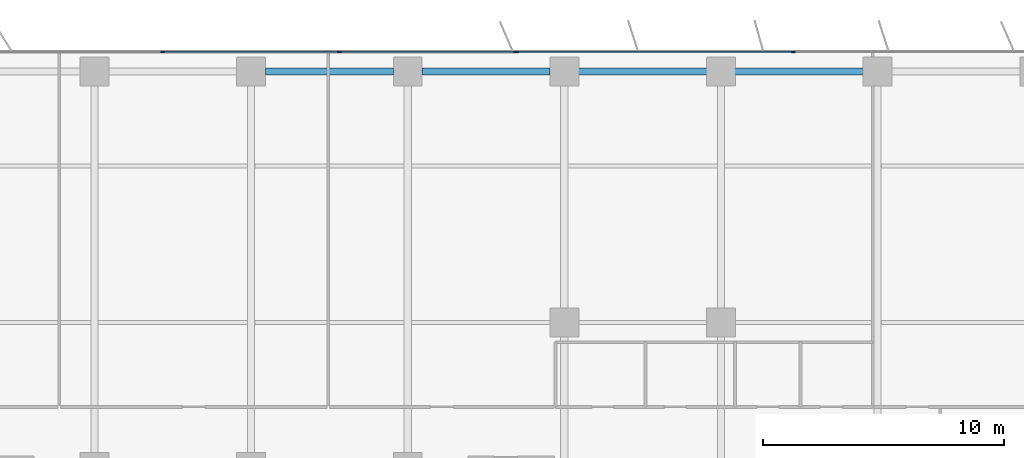
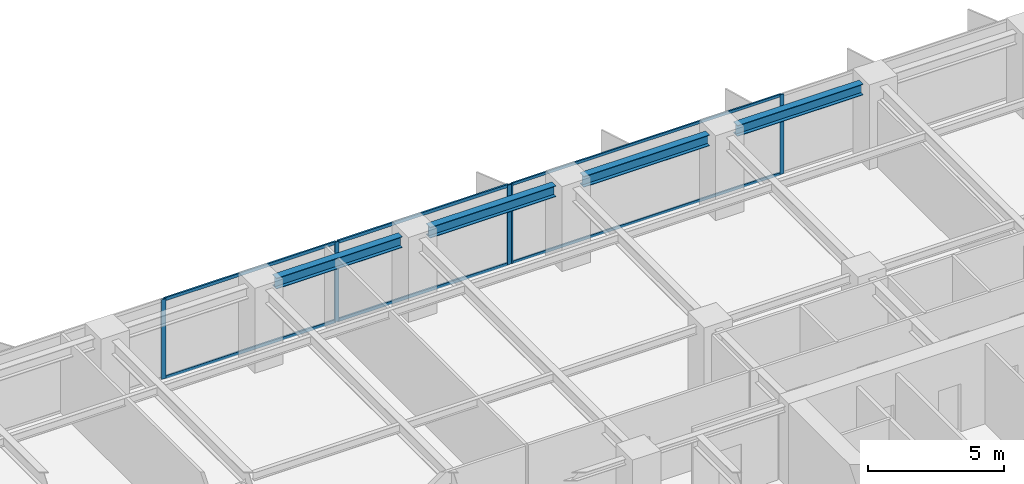
# One storey, part 9 of 20: 11 members, 4 beams, 2 elements without a shape of their own.
"""IFC4 building model written with IfcOpenShell, lengths in metres."""

from ifc_helpers import new_model, si_unit, direction, frame, origin, origin_2d, place, context, subcontext, project, spatial, rectangle, i_section, extrude, material, layer, layer_set, material_profile, profile_set, type_object, element, aggregate, save


model = new_model("IFC4")

# Units and contexts
model_context = context("Model", 3, precision=1e-05, world=origin(), true_north=direction((0.0, 1.0)))
body_context = subcontext(model_context, "Body", "Model", "MODEL_VIEW")
ifc_project = project(units=[si_unit("LENGTHUNIT", "METRE"), si_unit("AREAUNIT", "SQUARE_METRE"), si_unit("VOLUMEUNIT", "CUBIC_METRE"), si_unit("PLANEANGLEUNIT", "RADIAN"), si_unit("MASSUNIT", "GRAM", prefix="KILO")], contexts=[model_context])

# Site, building, storey
site_placement = place(None, origin())
site = spatial("IfcSite", under=ifc_project, at=site_placement, CompositionType="ELEMENT")
building_placement = place(site_placement, origin())
building = spatial("IfcBuilding", under=site, at=building_placement, Name="Putna Gate Headquarters", CompositionType="ELEMENT")
storey_placement = place(building_placement, frame((0.0, 0.0, 89.800048828125)))
storey = spatial("IfcBuildingStorey", under=building, at=storey_placement, Name="L21", CompositionType="ELEMENT", Elevation=89.800048828125)

# Beams
ifc_material_1 = material(Name="Steel S355J2", Category="steel")
ifc_material_profile_1 = material_profile(ifc_material_1, i_section(OverallWidth=0.300048828125, OverallDepth=0.489990234375, WebThickness=0.011962890625, FlangeThickness=0.02294921875, at=origin_2d()), Name="Steel S355J2")
ifc_profile_set_1 = profile_set([ifc_material_profile_1], Name="Steel S355J2")
beam_type = type_object("IfcBeamType", Name="BM-SPAN-Z2-HEA500", PredefinedType="SPANDREL", material=ifc_profile_set_1)
for number, where, z_axis, x_axis, name in (
    (1, (39.587890625, 49.419921875, 3.320068359375), (1.0, 0.0, 0.0), (0.0, 1.0, 0.0), "L21 N Perimeter Spandrel 6"),
    (2, (46.087890625, 49.419921875, 3.320068359375), (1.0, 0.0, 0.0), (0.0, 1.0, 0.0), "L21 N Perimeter Spandrel 7"),
    (3, (52.587890625, 49.419921875, 3.320068359375), (1.0, 0.0, 0.0), (0.0, 1.0, 0.0), "L21 N Perimeter Spandrel 8"),
    (4, (59.087890625, 49.419921875, 3.320068359375), (1.0, 0.0, 0.0), (0.0, 1.0, 0.0), "L21 N Perimeter Spandrel 9"),
):
    element("IfcBeam", number, at=place(storey_placement, frame(where, z_axis=z_axis, x_axis=x_axis)), inside=storey, type_object=beam_type, Name=name, PredefinedType="SPANDREL", context=body_context, shape_type="SweptSolid", body=[
        extrude(i_section(OverallWidth=0.300048828125, OverallDepth=0.489990234375, WebThickness=0.011962890625, FlangeThickness=0.02294921875, at=origin_2d()), origin(), (0.0, 0.0, 1.0), 5.32421875),
    ])

# Curtain wall, members
ifc_material_2 = material(Name="Anodised bronze aluminium curtain wall", Category="aluminium")
ifc_layer_1 = layer(ifc_material_2, 0.159912109375)
ifc_layer_set_1 = layer_set([ifc_layer_1], Name="Anodised bronze aluminium curtain wall")
curtain_wall_type_1 = type_object("IfcCurtainWallType", Name="CW-SYS-Z2", PredefinedType="USERDEFINED", material=ifc_layer_set_1)
curtain_wall_1_placement = place(storey_placement, origin())
curtain_wall_1 = element("IfcCurtainWall", 5, at=curtain_wall_1_placement, inside=storey, type_object=curtain_wall_type_1, Name="L21 North East Curtain Wall", ObjectType="STICK CURTAIN WALL", PredefinedType="USERDEFINED")
ifc_material_3 = material(Name="Anodised bronze aluminium EN AW-6060", Category="aluminium")
ifc_material_profile_2 = material_profile(ifc_material_3, rectangle(XDim=0.06494140625, YDim=0.159912109375, at=origin_2d()), Name="Anodised bronze aluminium EN AW-6060")
ifc_profile_set_2 = profile_set([ifc_material_profile_2], Name="Anodised bronze aluminium EN AW-6060")
member_type_1 = type_object("IfcMemberType", Name="MULL-CWM-2", PredefinedType="MULLION", material=ifc_profile_set_2)
member_1_placement = place(storey_placement, frame((50.032470703125, 50.219970703125, 0.0), z_axis=(0.0, 0.0, 1.0), x_axis=(0.0, 1.0, 0.0)))
member_1 = element("IfcMember", 6, at=member_1_placement, type_object=member_type_1, Name="CWS-2 mullion 1", PredefinedType="MULLION", context=body_context, shape_type="SweptSolid", body=[
    extrude(rectangle(XDim=0.06494140625, YDim=0.159912109375, at=origin_2d()), origin(), (0.0, 0.0, 1.0), 3.56494140625),
])
member_2_placement = place(storey_placement, frame((61.5, 50.219970703125, 0.0), z_axis=(0.0, 0.0, 1.0), x_axis=(0.0, 1.0, 0.0)))
member_2 = element("IfcMember", 7, at=member_2_placement, type_object=member_type_1, Name="CWS-2 mullion 2", PredefinedType="MULLION", context=body_context, shape_type="SweptSolid", body=[
    extrude(rectangle(XDim=0.06494140625, YDim=0.159912109375, at=origin_2d()), origin(), (0.0, 0.0, 1.0), 3.56494140625),
])

ifc_layer_2 = layer(ifc_material_2, 0.179931640625)
ifc_layer_set_2 = layer_set([ifc_layer_2], Name="Anodised bronze aluminium curtain wall")
curtain_wall_type_2 = type_object("IfcCurtainWallType", Name="CW-SYS-ATR", PredefinedType="USERDEFINED", material=ifc_layer_set_2)
curtain_wall_2_placement = place(storey_placement, origin())
curtain_wall_2 = element("IfcCurtainWall", 8, at=curtain_wall_2_placement, inside=storey, type_object=curtain_wall_type_2, Name="L21 North Atrium Clear Glazing", ObjectType="ATRIUM GLAZING", PredefinedType="USERDEFINED")
ifc_material_profile_3 = material_profile(ifc_material_3, rectangle(XDim=0.070068359375, YDim=0.179931640625, at=origin_2d()), Name="Anodised bronze aluminium EN AW-6060")
ifc_profile_set_3 = profile_set([ifc_material_profile_3], Name="Anodised bronze aluminium EN AW-6060")
member_type_2 = type_object("IfcMemberType", Name="MULL-CWM-AT", PredefinedType="MULLION", material=ifc_profile_set_3)
member_3_placement = place(storey_placement, frame((35.333251953125, 50.219970703125, 0.0), z_axis=(0.0, 0.0, 1.0), x_axis=(0.0, 1.0, 0.0)))
member_3 = element("IfcMember", 9, at=member_3_placement, type_object=member_type_2, Name="CWS-AT mullion 2", PredefinedType="MULLION", context=body_context, shape_type="SweptSolid", body=[
    extrude(rectangle(XDim=0.070068359375, YDim=0.179931640625, at=origin_2d()), origin(), (0.0, 0.0, 1.0), 3.56494140625),
])
member_4_placement = place(storey_placement, frame((42.666748046875, 50.219970703125, 0.0), z_axis=(0.0, 0.0, 1.0), x_axis=(0.0, 1.0, 0.0)))
member_4 = element("IfcMember", 10, at=member_4_placement, type_object=member_type_2, Name="CWS-AT mullion 3", PredefinedType="MULLION", context=body_context, shape_type="SweptSolid", body=[
    extrude(rectangle(XDim=0.070068359375, YDim=0.179931640625, at=origin_2d()), origin(), (0.0, 0.0, 1.0), 3.56494140625),
])
member_5_placement = place(storey_placement, frame((49.965087890625, 50.219970703125, 0.0), z_axis=(0.0, 0.0, 1.0), x_axis=(0.0, 1.0, 0.0)))
member_5 = element("IfcMember", 11, at=member_5_placement, type_object=member_type_2, Name="CWS-AT mullion 4", PredefinedType="MULLION", context=body_context, shape_type="SweptSolid", body=[
    extrude(rectangle(XDim=0.070068359375, YDim=0.179931640625, at=origin_2d()), origin(), (0.0, 0.0, 1.0), 3.56494140625),
])

# Member
ifc_material_profile_4 = material_profile(ifc_material_3, rectangle(XDim=0.06494140625, YDim=0.1201171875, at=origin_2d()), Name="Anodised bronze aluminium EN AW-6060")
ifc_profile_set_4 = profile_set([ifc_material_profile_4], Name="Anodised bronze aluminium EN AW-6060")
member_type_3 = type_object("IfcMemberType", Name="TRAN-CWT-2", PredefinedType="USERDEFINED", material=ifc_profile_set_4)
member_6_placement = place(storey_placement, frame((50.06494140625, 50.219970703125, 0.032470703125), z_axis=(1.0, 0.0, 0.0), x_axis=(0.0, 1.0, 0.0)))
member_6 = element("IfcMember", 12, at=member_6_placement, type_object=member_type_3, Name="CWS-2 transom 1.1", ObjectType="TRANSOM", PredefinedType="USERDEFINED", context=body_context, shape_type="SweptSolid", body=[
    extrude(rectangle(XDim=0.06494140625, YDim=0.1201171875, at=origin_2d()), origin(), (0.0, 0.0, 1.0), 11.402587890625),
])

member_7_placement = place(storey_placement, frame((50.06494140625, 50.219970703125, 3.532470703125), z_axis=(1.0, 0.0, 0.0), x_axis=(0.0, 1.0, 0.0)))
member_7 = element("IfcMember", 13, at=member_7_placement, type_object=member_type_3, Name="CWS-2 transom 1.2", ObjectType="TRANSOM", PredefinedType="USERDEFINED", context=body_context, shape_type="SweptSolid", body=[
    extrude(rectangle(XDim=0.06494140625, YDim=0.1201171875, at=origin_2d()), origin(), (0.0, 0.0, 1.0), 11.402587890625),
])

aggregate(curtain_wall_1, [member_1, member_2, member_6, member_7])

ifc_material_profile_5 = material_profile(ifc_material_3, rectangle(XDim=0.070068359375, YDim=0.139892578125, at=origin_2d()), Name="Anodised bronze aluminium EN AW-6060")
ifc_profile_set_5 = profile_set([ifc_material_profile_5], Name="Anodised bronze aluminium EN AW-6060")
member_type_4 = type_object("IfcMemberType", Name="TRAN-CWT-AT", PredefinedType="USERDEFINED", material=ifc_profile_set_5)
member_8_placement = place(storey_placement, frame((35.368408203125, 50.219970703125, 0.034912109375), z_axis=(1.0, 0.0, 0.0), x_axis=(0.0, 1.0, 0.0)))
member_8 = element("IfcMember", 14, at=member_8_placement, type_object=member_type_4, Name="CWS-AT transom 2.1", ObjectType="TRANSOM", PredefinedType="USERDEFINED", context=body_context, shape_type="SweptSolid", body=[
    extrude(rectangle(XDim=0.070068359375, YDim=0.139892578125, at=origin_2d()), origin(), (0.0, 0.0, 1.0), 7.26318359375),
])

member_9_placement = place(storey_placement, frame((35.368408203125, 50.219970703125, 3.530029296875), z_axis=(1.0, 0.0, 0.0), x_axis=(0.0, 1.0, 0.0)))
member_9 = element("IfcMember", 15, at=member_9_placement, type_object=member_type_4, Name="CWS-AT transom 2.2", ObjectType="TRANSOM", PredefinedType="USERDEFINED", context=body_context, shape_type="SweptSolid", body=[
    extrude(rectangle(XDim=0.070068359375, YDim=0.139892578125, at=origin_2d()), origin(), (0.0, 0.0, 1.0), 7.26318359375),
])

member_10_placement = place(storey_placement, frame((42.70166015625, 50.219970703125, 0.034912109375), z_axis=(1.0, 0.0, 0.0), x_axis=(0.0, 1.0, 0.0)))
member_10 = element("IfcMember", 16, at=member_10_placement, type_object=member_type_4, Name="CWS-AT transom 3.1", ObjectType="TRANSOM", PredefinedType="USERDEFINED", context=body_context, shape_type="SweptSolid", body=[
    extrude(rectangle(XDim=0.070068359375, YDim=0.139892578125, at=origin_2d()), origin(), (0.0, 0.0, 1.0), 7.228271484375),
])

member_11_placement = place(storey_placement, frame((42.70166015625, 50.219970703125, 3.530029296875), z_axis=(1.0, 0.0, 0.0), x_axis=(0.0, 1.0, 0.0)))
member_11 = element("IfcMember", 17, at=member_11_placement, type_object=member_type_4, Name="CWS-AT transom 3.2", ObjectType="TRANSOM", PredefinedType="USERDEFINED", context=body_context, shape_type="SweptSolid", body=[
    extrude(rectangle(XDim=0.070068359375, YDim=0.139892578125, at=origin_2d()), origin(), (0.0, 0.0, 1.0), 7.228271484375),
])

aggregate(curtain_wall_2, [member_3, member_4, member_5, member_8, member_9, member_10, member_11])

save(model, "model.ifc")
